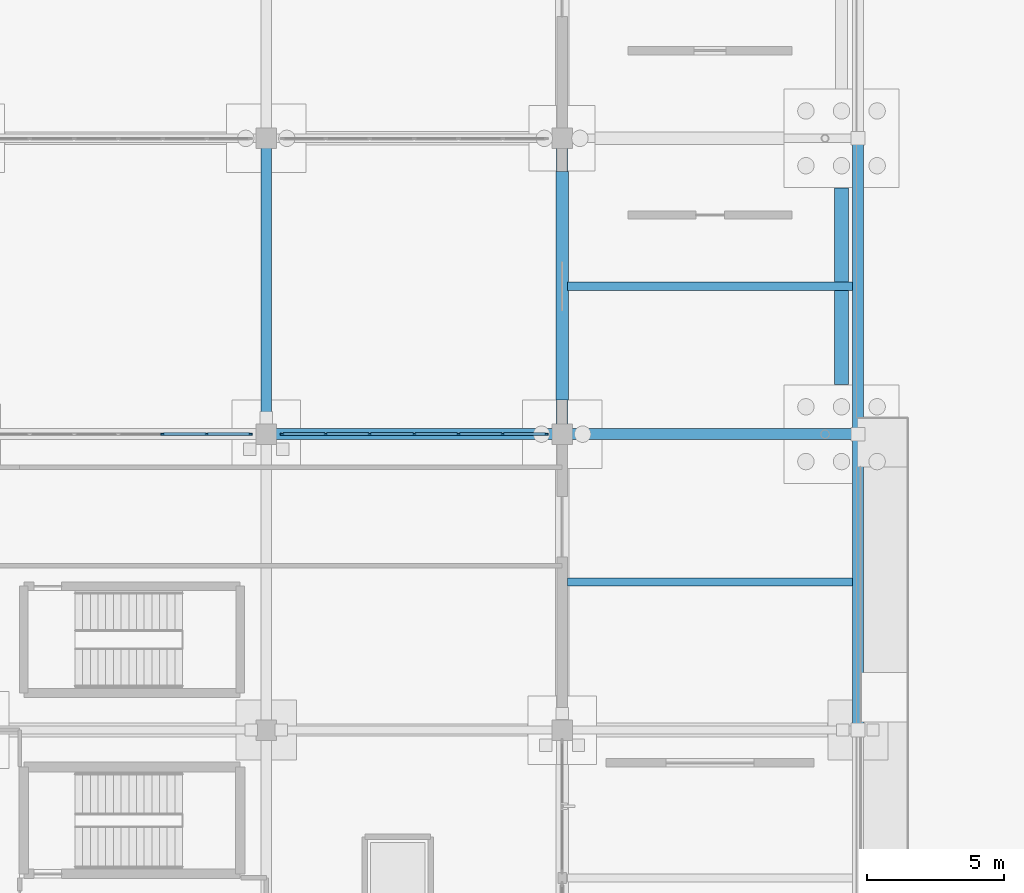
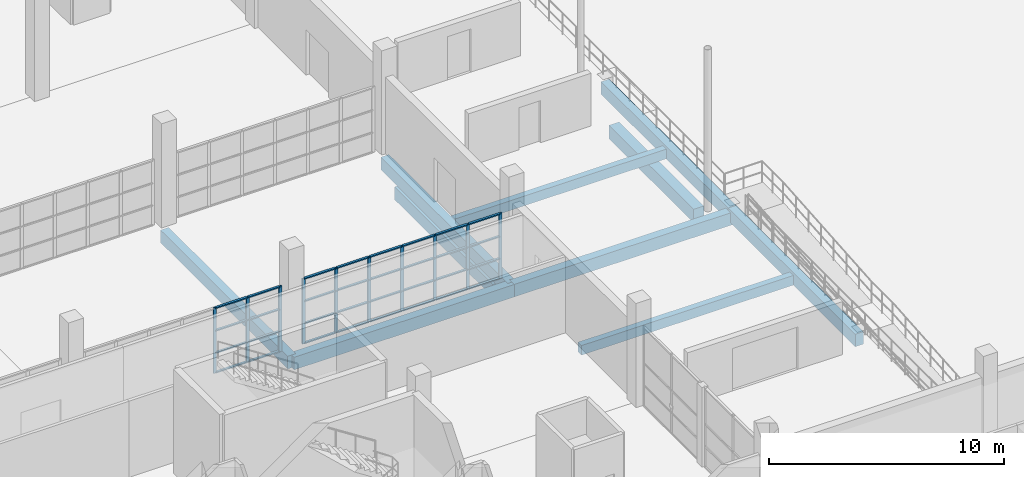
# One storey, part 67 of 138: 42 members, 10 beams, 2 elements without a shape of their own.
"""IFC4 building model written with IfcOpenShell, lengths in metres."""

from ifc_helpers import new_model, si_unit, direction, frame, origin, origin_2d, place, context, subcontext, project, spatial, rectangle, extrude, material, material_profile, profile_set, type_object, element, aggregate, save


model = new_model("IFC4")

# Units and contexts
model_context = context("Model", 3, precision=1e-05, world=origin(), true_north=direction((0.0, 1.0)))
body_context = subcontext(model_context, "Body", "Model", "MODEL_VIEW")
ifc_project = project(units=[si_unit("LENGTHUNIT", "METRE"), si_unit("AREAUNIT", "SQUARE_METRE"), si_unit("VOLUMEUNIT", "CUBIC_METRE"), si_unit("PLANEANGLEUNIT", "RADIAN"), si_unit("MASSUNIT", "GRAM", prefix="KILO")], contexts=[model_context])

# Site, building, storey
site_placement = place(None, origin())
site = spatial("IfcSite", under=ifc_project, at=site_placement, CompositionType="ELEMENT")
building_placement = place(site_placement, origin())
building = spatial("IfcBuilding", under=site, at=building_placement, Name="Zwinboog Wholesale Market", CompositionType="ELEMENT")
storey_placement = place(building_placement, origin())
storey = spatial("IfcBuildingStorey", under=building, at=storey_placement, Name="L00", CompositionType="ELEMENT", Elevation=0.0)

# Beams
ifc_material_1 = material(Name="Precast concrete C45/55", Category="concrete")
ifc_material_profile_1 = material_profile(ifc_material_1, rectangle(XDim=0.39990234375, YDim=0.64990234375, at=origin_2d()), Name="PC 400x650")
ifc_profile_set_1 = profile_set([ifc_material_profile_1], Name="Precast concrete C45/55")
beam_type_1 = type_object("IfcBeamType", Name="BT-05", PredefinedType="BEAM", material=ifc_profile_set_1)
for number, where, z_axis, x_axis, name in (
    (1, (162.0, 54.0, -0.719970703125), (1.0, 0.0, 0.0), (0.0, 1.0, 0.0), "BG-05 (BMG-L00-1620-0540-0082)"),
    (2, (162.0, 54.0, -0.719970703125), (0.0, 1.0, 0.0), (-1.0, 0.0, 0.0), "BG-05 (BMG-L00-1620-0540-0370)"),
    (3, (172.800048828125, 54.0, -0.719970703125), (0.0, 1.0, 0.0), (-1.0, 0.0, 0.0), "BG-05 (BMG-L00-1728-0540-0382)"),
    (4, (172.800048828125, 54.0, -0.719970703125), (1.0, 0.0, 0.0), (0.0, 1.0, 0.0), "BG-05 (BM-TER-L00-0012)"),
    (5, (183.60009765625, 43.199951171875, -0.5869140625), (0.0, 1.0, 0.0), (-1.0, 0.0, 0.0), "BG-05 (BM-TER-L00-0025)"),
    (6, (183.60009765625, 54.0, -0.5869140625), (0.0, 1.0, 0.0), (-1.0, 0.0, 0.0), "BG-05 (BM-TER-L00-0026)"),
):
    element("IfcBeam", number, at=place(storey_placement, frame(where, z_axis=z_axis, x_axis=x_axis)), inside=storey, type_object=beam_type_1, Name=name, PredefinedType="BEAM", context=body_context, shape_type="SweptSolid", body=[
        extrude(rectangle(XDim=0.39990234375, YDim=0.64990234375, at=origin_2d()), origin(), (0.0, 0.0, 1.0), 10.800048828125),
    ])
ifc_material_profile_2 = material_profile(ifc_material_1, rectangle(XDim=0.300048828125, YDim=0.5, at=origin_2d()), Name="PC 300x500")
ifc_profile_set_2 = profile_set([ifc_material_profile_2], Name="Precast concrete C45/55")
beam_type_2 = type_object("IfcBeamType", Name="BT-10", PredefinedType="JOIST", material=ifc_profile_set_2)
for number, where, z_axis, x_axis, name in (
    (7, (173.0, 48.60009765625, -0.64501953125), (1.0, 0.0, 0.0), (0.0, 1.0, 0.0), "BJ-01 (BM-TER-L00-0041)"),
    (8, (173.0, 59.39990234375, -0.64501953125), (1.0, 0.0, 0.0), (0.0, 1.0, 0.0), "BJ-01 (BM-TER-L00-0042)"),
):
    element("IfcBeam", number, at=place(storey_placement, frame(where, z_axis=z_axis, x_axis=x_axis)), inside=storey, type_object=beam_type_2, Name=name, PredefinedType="JOIST", context=body_context, shape_type="SweptSolid", body=[
        extrude(rectangle(XDim=0.300048828125, YDim=0.5, at=origin_2d()), origin(), (0.0, 0.0, 1.0), 10.39990234375),
    ])
ifc_material_2 = material(Name="Concrete C35/45", Category="concrete")
ifc_material_profile_3 = material_profile(ifc_material_2, rectangle(XDim=0.5, YDim=0.699951171875, at=origin_2d()), Name="RC 500x700")
ifc_profile_set_3 = profile_set([ifc_material_profile_3], Name="Concrete C35/45")
beam_type_3 = type_object("IfcBeamType", Name="BT-12", PredefinedType="USERDEFINED", material=ifc_profile_set_3)
beam_1_placement = place(storey_placement, frame((183.0, 55.804931640625, -1.550048828125), z_axis=(0.0, 1.0, 0.0), x_axis=(-1.0, 0.0, 0.0)))
element("IfcBeam", 9, at=beam_1_placement, inside=storey, type_object=beam_type_3, Name="GB-01 (BM-GB-0208)", ObjectType="GROUND_BEAM", PredefinedType="USERDEFINED", context=body_context, shape_type="SweptSolid", body=[
    extrude(rectangle(XDim=0.5, YDim=0.699951171875, at=origin_2d()), origin(), (0.0, 0.0, 1.0), 7.190185546875),
])
ifc_material_profile_4 = material_profile(ifc_material_2, rectangle(XDim=0.449951171875, YDim=0.64990234375, at=origin_2d()), Name="RC 450x650")
ifc_profile_set_4 = profile_set([ifc_material_profile_4], Name="Concrete C35/45")
beam_type_4 = type_object("IfcBeamType", Name="BT-13", PredefinedType="USERDEFINED", material=ifc_profile_set_4)
beam_2_placement = place(storey_placement, frame((172.800048828125, 55.2548828125, -1.52490234375), z_axis=(0.0, 1.0, 0.0), x_axis=(-1.0, 0.0, 0.0)))
element("IfcBeam", 10, at=beam_2_placement, inside=storey, type_object=beam_type_4, Name="GB-02 (BM-GB-0201)", ObjectType="GROUND_BEAM", PredefinedType="USERDEFINED", context=body_context, shape_type="SweptSolid", body=[
    extrude(rectangle(XDim=0.449951171875, YDim=0.64990234375, at=origin_2d()), origin(), (0.0, 0.0, 1.0), 8.340087890625),
])

# Curtain wall, members
ifc_material_3 = material(Name="Aluminium thermally broken curtain wall", Category="aluminium")
curtain_wall_type = type_object("IfcCurtainWallType", Name="CWT-INT-STALL", PredefinedType="USERDEFINED", material=ifc_material_3)
curtain_wall_1_placement = place(storey_placement, origin())
curtain_wall_1 = element("IfcCurtainWall", 11, at=curtain_wall_1_placement, inside=storey, type_object=curtain_wall_type, Name="CW-07 (CW-STL-189)", ObjectType="STOREFRONT_GLAZING", PredefinedType="USERDEFINED")
ifc_material_4 = material(Name="Aluminium EN AW-6060", Category="aluminium")
ifc_material_profile_5 = material_profile(ifc_material_4, rectangle(XDim=0.06005859375, YDim=0.14990234375, at=origin_2d()), Name="AL 60x150")
ifc_profile_set_5 = profile_set([ifc_material_profile_5], Name="Aluminium EN AW-6060")
member_type_1 = type_object("IfcMemberType", Name="CWM-INT-60x120", PredefinedType="MULLION", material=ifc_profile_set_5)
member_1_placement = place(storey_placement, frame((158.216552734375, 54.0, 0.0), z_axis=(0.0, 0.0, 1.0), x_axis=(0.0, 1.0, 0.0)))
member_1 = element("IfcMember", 12, at=member_1_placement, type_object=member_type_1, Name="CW-07 mullion 5", PredefinedType="MULLION", context=body_context, shape_type="SweptSolid", body=[
    extrude(rectangle(XDim=0.06005859375, YDim=0.14990234375, at=origin_2d()), origin(), (0.0, 0.0, 1.0), 3.39990234375),
])
member_2_placement = place(storey_placement, frame((159.833251953125, 54.0, 0.0), z_axis=(0.0, 0.0, 1.0), x_axis=(0.0, 1.0, 0.0)))
member_2 = element("IfcMember", 13, at=member_2_placement, type_object=member_type_1, Name="CW-07 mullion 6", PredefinedType="MULLION", context=body_context, shape_type="SweptSolid", body=[
    extrude(rectangle(XDim=0.06005859375, YDim=0.14990234375, at=origin_2d()), origin(), (0.0, 0.0, 1.0), 3.39990234375),
])
member_3_placement = place(storey_placement, frame((161.419921875, 54.0, 0.0), z_axis=(0.0, 0.0, 1.0), x_axis=(0.0, 1.0, 0.0)))
member_3 = element("IfcMember", 14, at=member_3_placement, type_object=member_type_1, Name="CW-07 mullion 7", PredefinedType="MULLION", context=body_context, shape_type="SweptSolid", body=[
    extrude(rectangle(XDim=0.06005859375, YDim=0.14990234375, at=origin_2d()), origin(), (0.0, 0.0, 1.0), 3.39990234375),
])

curtain_wall_2_placement = place(storey_placement, origin())
curtain_wall_2 = element("IfcCurtainWall", 15, at=curtain_wall_2_placement, inside=storey, type_object=curtain_wall_type, Name="CW-07 (CW-STL-190)", ObjectType="STOREFRONT_GLAZING", PredefinedType="USERDEFINED")
member_4_placement = place(storey_placement, frame((162.580078125, 54.0, 0.0), z_axis=(0.0, 0.0, 1.0), x_axis=(0.0, 1.0, 0.0)))
member_4 = element("IfcMember", 16, at=member_4_placement, type_object=member_type_1, Name="CW-07 mullion 1", PredefinedType="MULLION", context=body_context, shape_type="SweptSolid", body=[
    extrude(rectangle(XDim=0.06005859375, YDim=0.14990234375, at=origin_2d()), origin(), (0.0, 0.0, 1.0), 3.39990234375),
])
member_5_placement = place(storey_placement, frame((164.166748046875, 54.0, 0.0), z_axis=(0.0, 0.0, 1.0), x_axis=(0.0, 1.0, 0.0)))
member_5 = element("IfcMember", 17, at=member_5_placement, type_object=member_type_1, Name="CW-07 mullion 2", PredefinedType="MULLION", context=body_context, shape_type="SweptSolid", body=[
    extrude(rectangle(XDim=0.06005859375, YDim=0.14990234375, at=origin_2d()), origin(), (0.0, 0.0, 1.0), 3.39990234375),
])
member_6_placement = place(storey_placement, frame((165.783447265625, 54.0, 0.0), z_axis=(0.0, 0.0, 1.0), x_axis=(0.0, 1.0, 0.0)))
member_6 = element("IfcMember", 18, at=member_6_placement, type_object=member_type_1, Name="CW-07 mullion 3", PredefinedType="MULLION", context=body_context, shape_type="SweptSolid", body=[
    extrude(rectangle(XDim=0.06005859375, YDim=0.14990234375, at=origin_2d()), origin(), (0.0, 0.0, 1.0), 3.39990234375),
])
member_7_placement = place(storey_placement, frame((167.39990234375, 54.0, 0.0), z_axis=(0.0, 0.0, 1.0), x_axis=(0.0, 1.0, 0.0)))
member_7 = element("IfcMember", 19, at=member_7_placement, type_object=member_type_1, Name="CW-07 mullion 4", PredefinedType="MULLION", context=body_context, shape_type="SweptSolid", body=[
    extrude(rectangle(XDim=0.06005859375, YDim=0.14990234375, at=origin_2d()), origin(), (0.0, 0.0, 1.0), 3.39990234375),
])
member_8_placement = place(storey_placement, frame((169.0166015625, 54.0, 0.0), z_axis=(0.0, 0.0, 1.0), x_axis=(0.0, 1.0, 0.0)))
member_8 = element("IfcMember", 20, at=member_8_placement, type_object=member_type_1, Name="CW-07 mullion 5", PredefinedType="MULLION", context=body_context, shape_type="SweptSolid", body=[
    extrude(rectangle(XDim=0.06005859375, YDim=0.14990234375, at=origin_2d()), origin(), (0.0, 0.0, 1.0), 3.39990234375),
])
member_9_placement = place(storey_placement, frame((170.63330078125, 54.0, 0.0), z_axis=(0.0, 0.0, 1.0), x_axis=(0.0, 1.0, 0.0)))
member_9 = element("IfcMember", 21, at=member_9_placement, type_object=member_type_1, Name="CW-07 mullion 6", PredefinedType="MULLION", context=body_context, shape_type="SweptSolid", body=[
    extrude(rectangle(XDim=0.06005859375, YDim=0.14990234375, at=origin_2d()), origin(), (0.0, 0.0, 1.0), 3.39990234375),
])
member_10_placement = place(storey_placement, frame((172.219970703125, 54.0, 0.0), z_axis=(0.0, 0.0, 1.0), x_axis=(0.0, 1.0, 0.0)))
member_10 = element("IfcMember", 22, at=member_10_placement, type_object=member_type_1, Name="CW-07 mullion 7", PredefinedType="MULLION", context=body_context, shape_type="SweptSolid", body=[
    extrude(rectangle(XDim=0.06005859375, YDim=0.14990234375, at=origin_2d()), origin(), (0.0, 0.0, 1.0), 3.39990234375),
])

# Member
ifc_material_profile_6 = material_profile(ifc_material_4, rectangle(XDim=0.110107421875, YDim=0.06005859375, at=origin_2d()), Name="AL 60x110")
ifc_profile_set_6 = profile_set([ifc_material_profile_6], Name="Aluminium EN AW-6060")
member_type_2 = type_object("IfcMemberType", Name="CWT-INT-60x100", PredefinedType="USERDEFINED", material=ifc_profile_set_6)
member_11_placement = place(storey_placement, frame((158.24658203125, 54.0, 0.030029296875), z_axis=(1.0, 0.0, 0.0), x_axis=(0.0, 1.0, 0.0)))
member_11 = element("IfcMember", 23, at=member_11_placement, type_object=member_type_2, Name="CW-07 transom 5.1", ObjectType="TRANSOM", PredefinedType="USERDEFINED", context=body_context, shape_type="SweptSolid", body=[
    extrude(rectangle(XDim=0.110107421875, YDim=0.06005859375, at=origin_2d()), origin(), (0.0, 0.0, 1.0), 1.556640625),
])

member_12_placement = place(storey_placement, frame((158.24658203125, 54.0, 1.050048828125), z_axis=(1.0, 0.0, 0.0), x_axis=(0.0, 1.0, 0.0)))
member_12 = element("IfcMember", 24, at=member_12_placement, type_object=member_type_2, Name="CW-07 transom 5.2", ObjectType="TRANSOM", PredefinedType="USERDEFINED", context=body_context, shape_type="SweptSolid", body=[
    extrude(rectangle(XDim=0.110107421875, YDim=0.06005859375, at=origin_2d()), origin(), (0.0, 0.0, 1.0), 1.556640625),
])

member_13_placement = place(storey_placement, frame((158.24658203125, 54.0, 2.199951171875), z_axis=(1.0, 0.0, 0.0), x_axis=(0.0, 1.0, 0.0)))
member_13 = element("IfcMember", 25, at=member_13_placement, type_object=member_type_2, Name="CW-07 transom 5.3", ObjectType="TRANSOM", PredefinedType="USERDEFINED", context=body_context, shape_type="SweptSolid", body=[
    extrude(rectangle(XDim=0.110107421875, YDim=0.06005859375, at=origin_2d()), origin(), (0.0, 0.0, 1.0), 1.556640625),
])

member_14_placement = place(storey_placement, frame((158.24658203125, 54.0, 3.3701171875), z_axis=(1.0, 0.0, 0.0), x_axis=(0.0, 1.0, 0.0)))
member_14 = element("IfcMember", 26, at=member_14_placement, type_object=member_type_2, Name="CW-07 transom 5.4", ObjectType="TRANSOM", PredefinedType="USERDEFINED", context=body_context, shape_type="SweptSolid", body=[
    extrude(rectangle(XDim=0.110107421875, YDim=0.06005859375, at=origin_2d()), origin(), (0.0, 0.0, 1.0), 1.556640625),
])

member_15_placement = place(storey_placement, frame((159.86328125, 54.0, 0.030029296875), z_axis=(1.0, 0.0, 0.0), x_axis=(0.0, 1.0, 0.0)))
member_15 = element("IfcMember", 27, at=member_15_placement, type_object=member_type_2, Name="CW-07 transom 6.1", ObjectType="TRANSOM", PredefinedType="USERDEFINED", context=body_context, shape_type="SweptSolid", body=[
    extrude(rectangle(XDim=0.110107421875, YDim=0.06005859375, at=origin_2d()), origin(), (0.0, 0.0, 1.0), 1.526611328125),
])

member_16_placement = place(storey_placement, frame((159.86328125, 54.0, 1.050048828125), z_axis=(1.0, 0.0, 0.0), x_axis=(0.0, 1.0, 0.0)))
member_16 = element("IfcMember", 28, at=member_16_placement, type_object=member_type_2, Name="CW-07 transom 6.2", ObjectType="TRANSOM", PredefinedType="USERDEFINED", context=body_context, shape_type="SweptSolid", body=[
    extrude(rectangle(XDim=0.110107421875, YDim=0.06005859375, at=origin_2d()), origin(), (0.0, 0.0, 1.0), 1.526611328125),
])

member_17_placement = place(storey_placement, frame((159.86328125, 54.0, 2.199951171875), z_axis=(1.0, 0.0, 0.0), x_axis=(0.0, 1.0, 0.0)))
member_17 = element("IfcMember", 29, at=member_17_placement, type_object=member_type_2, Name="CW-07 transom 6.3", ObjectType="TRANSOM", PredefinedType="USERDEFINED", context=body_context, shape_type="SweptSolid", body=[
    extrude(rectangle(XDim=0.110107421875, YDim=0.06005859375, at=origin_2d()), origin(), (0.0, 0.0, 1.0), 1.526611328125),
])

member_18_placement = place(storey_placement, frame((159.86328125, 54.0, 3.3701171875), z_axis=(1.0, 0.0, 0.0), x_axis=(0.0, 1.0, 0.0)))
member_18 = element("IfcMember", 30, at=member_18_placement, type_object=member_type_2, Name="CW-07 transom 6.4", ObjectType="TRANSOM", PredefinedType="USERDEFINED", context=body_context, shape_type="SweptSolid", body=[
    extrude(rectangle(XDim=0.110107421875, YDim=0.06005859375, at=origin_2d()), origin(), (0.0, 0.0, 1.0), 1.526611328125),
])

aggregate(curtain_wall_1, [member_1, member_2, member_3, member_11, member_12, member_13, member_14, member_15, member_16, member_17, member_18])

member_19_placement = place(storey_placement, frame((162.610107421875, 54.0, 0.030029296875), z_axis=(1.0, 0.0, 0.0), x_axis=(0.0, 1.0, 0.0)))
member_19 = element("IfcMember", 31, at=member_19_placement, type_object=member_type_2, Name="CW-07 transom 1.1", ObjectType="TRANSOM", PredefinedType="USERDEFINED", context=body_context, shape_type="SweptSolid", body=[
    extrude(rectangle(XDim=0.110107421875, YDim=0.06005859375, at=origin_2d()), origin(), (0.0, 0.0, 1.0), 1.526611328125),
])

member_20_placement = place(storey_placement, frame((162.610107421875, 54.0, 1.050048828125), z_axis=(1.0, 0.0, 0.0), x_axis=(0.0, 1.0, 0.0)))
member_20 = element("IfcMember", 32, at=member_20_placement, type_object=member_type_2, Name="CW-07 transom 1.2", ObjectType="TRANSOM", PredefinedType="USERDEFINED", context=body_context, shape_type="SweptSolid", body=[
    extrude(rectangle(XDim=0.110107421875, YDim=0.06005859375, at=origin_2d()), origin(), (0.0, 0.0, 1.0), 1.526611328125),
])

member_21_placement = place(storey_placement, frame((162.610107421875, 54.0, 2.199951171875), z_axis=(1.0, 0.0, 0.0), x_axis=(0.0, 1.0, 0.0)))
member_21 = element("IfcMember", 33, at=member_21_placement, type_object=member_type_2, Name="CW-07 transom 1.3", ObjectType="TRANSOM", PredefinedType="USERDEFINED", context=body_context, shape_type="SweptSolid", body=[
    extrude(rectangle(XDim=0.110107421875, YDim=0.06005859375, at=origin_2d()), origin(), (0.0, 0.0, 1.0), 1.526611328125),
])

member_22_placement = place(storey_placement, frame((162.610107421875, 54.0, 3.3701171875), z_axis=(1.0, 0.0, 0.0), x_axis=(0.0, 1.0, 0.0)))
member_22 = element("IfcMember", 34, at=member_22_placement, type_object=member_type_2, Name="CW-07 transom 1.4", ObjectType="TRANSOM", PredefinedType="USERDEFINED", context=body_context, shape_type="SweptSolid", body=[
    extrude(rectangle(XDim=0.110107421875, YDim=0.06005859375, at=origin_2d()), origin(), (0.0, 0.0, 1.0), 1.526611328125),
])

member_23_placement = place(storey_placement, frame((164.19677734375, 54.0, 0.030029296875), z_axis=(1.0, 0.0, 0.0), x_axis=(0.0, 1.0, 0.0)))
member_23 = element("IfcMember", 35, at=member_23_placement, type_object=member_type_2, Name="CW-07 transom 2.1", ObjectType="TRANSOM", PredefinedType="USERDEFINED", context=body_context, shape_type="SweptSolid", body=[
    extrude(rectangle(XDim=0.110107421875, YDim=0.06005859375, at=origin_2d()), origin(), (0.0, 0.0, 1.0), 1.556640625),
])

member_24_placement = place(storey_placement, frame((164.19677734375, 54.0, 1.050048828125), z_axis=(1.0, 0.0, 0.0), x_axis=(0.0, 1.0, 0.0)))
member_24 = element("IfcMember", 36, at=member_24_placement, type_object=member_type_2, Name="CW-07 transom 2.2", ObjectType="TRANSOM", PredefinedType="USERDEFINED", context=body_context, shape_type="SweptSolid", body=[
    extrude(rectangle(XDim=0.110107421875, YDim=0.06005859375, at=origin_2d()), origin(), (0.0, 0.0, 1.0), 1.556640625),
])

member_25_placement = place(storey_placement, frame((164.19677734375, 54.0, 2.199951171875), z_axis=(1.0, 0.0, 0.0), x_axis=(0.0, 1.0, 0.0)))
member_25 = element("IfcMember", 37, at=member_25_placement, type_object=member_type_2, Name="CW-07 transom 2.3", ObjectType="TRANSOM", PredefinedType="USERDEFINED", context=body_context, shape_type="SweptSolid", body=[
    extrude(rectangle(XDim=0.110107421875, YDim=0.06005859375, at=origin_2d()), origin(), (0.0, 0.0, 1.0), 1.556640625),
])

member_26_placement = place(storey_placement, frame((164.19677734375, 54.0, 3.3701171875), z_axis=(1.0, 0.0, 0.0), x_axis=(0.0, 1.0, 0.0)))
member_26 = element("IfcMember", 38, at=member_26_placement, type_object=member_type_2, Name="CW-07 transom 2.4", ObjectType="TRANSOM", PredefinedType="USERDEFINED", context=body_context, shape_type="SweptSolid", body=[
    extrude(rectangle(XDim=0.110107421875, YDim=0.06005859375, at=origin_2d()), origin(), (0.0, 0.0, 1.0), 1.556640625),
])

member_27_placement = place(storey_placement, frame((165.813232421875, 54.0, 0.030029296875), z_axis=(1.0, 0.0, 0.0), x_axis=(0.0, 1.0, 0.0)))
member_27 = element("IfcMember", 39, at=member_27_placement, type_object=member_type_2, Name="CW-07 transom 3.1", ObjectType="TRANSOM", PredefinedType="USERDEFINED", context=body_context, shape_type="SweptSolid", body=[
    extrude(rectangle(XDim=0.110107421875, YDim=0.06005859375, at=origin_2d()), origin(), (0.0, 0.0, 1.0), 1.556884765625),
])

member_28_placement = place(storey_placement, frame((165.813232421875, 54.0, 1.050048828125), z_axis=(1.0, 0.0, 0.0), x_axis=(0.0, 1.0, 0.0)))
member_28 = element("IfcMember", 40, at=member_28_placement, type_object=member_type_2, Name="CW-07 transom 3.2", ObjectType="TRANSOM", PredefinedType="USERDEFINED", context=body_context, shape_type="SweptSolid", body=[
    extrude(rectangle(XDim=0.110107421875, YDim=0.06005859375, at=origin_2d()), origin(), (0.0, 0.0, 1.0), 1.556884765625),
])

member_29_placement = place(storey_placement, frame((165.813232421875, 54.0, 2.199951171875), z_axis=(1.0, 0.0, 0.0), x_axis=(0.0, 1.0, 0.0)))
member_29 = element("IfcMember", 41, at=member_29_placement, type_object=member_type_2, Name="CW-07 transom 3.3", ObjectType="TRANSOM", PredefinedType="USERDEFINED", context=body_context, shape_type="SweptSolid", body=[
    extrude(rectangle(XDim=0.110107421875, YDim=0.06005859375, at=origin_2d()), origin(), (0.0, 0.0, 1.0), 1.556884765625),
])

member_30_placement = place(storey_placement, frame((165.813232421875, 54.0, 3.3701171875), z_axis=(1.0, 0.0, 0.0), x_axis=(0.0, 1.0, 0.0)))
member_30 = element("IfcMember", 42, at=member_30_placement, type_object=member_type_2, Name="CW-07 transom 3.4", ObjectType="TRANSOM", PredefinedType="USERDEFINED", context=body_context, shape_type="SweptSolid", body=[
    extrude(rectangle(XDim=0.110107421875, YDim=0.06005859375, at=origin_2d()), origin(), (0.0, 0.0, 1.0), 1.556884765625),
])

member_31_placement = place(storey_placement, frame((167.429931640625, 54.0, 0.030029296875), z_axis=(1.0, 0.0, 0.0), x_axis=(0.0, 1.0, 0.0)))
member_31 = element("IfcMember", 43, at=member_31_placement, type_object=member_type_2, Name="CW-07 transom 4.1", ObjectType="TRANSOM", PredefinedType="USERDEFINED", context=body_context, shape_type="SweptSolid", body=[
    extrude(rectangle(XDim=0.110107421875, YDim=0.06005859375, at=origin_2d()), origin(), (0.0, 0.0, 1.0), 1.556640625),
])

member_32_placement = place(storey_placement, frame((167.429931640625, 54.0, 1.050048828125), z_axis=(1.0, 0.0, 0.0), x_axis=(0.0, 1.0, 0.0)))
member_32 = element("IfcMember", 44, at=member_32_placement, type_object=member_type_2, Name="CW-07 transom 4.2", ObjectType="TRANSOM", PredefinedType="USERDEFINED", context=body_context, shape_type="SweptSolid", body=[
    extrude(rectangle(XDim=0.110107421875, YDim=0.06005859375, at=origin_2d()), origin(), (0.0, 0.0, 1.0), 1.556640625),
])

member_33_placement = place(storey_placement, frame((167.429931640625, 54.0, 2.199951171875), z_axis=(1.0, 0.0, 0.0), x_axis=(0.0, 1.0, 0.0)))
member_33 = element("IfcMember", 45, at=member_33_placement, type_object=member_type_2, Name="CW-07 transom 4.3", ObjectType="TRANSOM", PredefinedType="USERDEFINED", context=body_context, shape_type="SweptSolid", body=[
    extrude(rectangle(XDim=0.110107421875, YDim=0.06005859375, at=origin_2d()), origin(), (0.0, 0.0, 1.0), 1.556640625),
])

member_34_placement = place(storey_placement, frame((167.429931640625, 54.0, 3.3701171875), z_axis=(1.0, 0.0, 0.0), x_axis=(0.0, 1.0, 0.0)))
member_34 = element("IfcMember", 46, at=member_34_placement, type_object=member_type_2, Name="CW-07 transom 4.4", ObjectType="TRANSOM", PredefinedType="USERDEFINED", context=body_context, shape_type="SweptSolid", body=[
    extrude(rectangle(XDim=0.110107421875, YDim=0.06005859375, at=origin_2d()), origin(), (0.0, 0.0, 1.0), 1.556640625),
])

member_35_placement = place(storey_placement, frame((169.046630859375, 54.0, 0.030029296875), z_axis=(1.0, 0.0, 0.0), x_axis=(0.0, 1.0, 0.0)))
member_35 = element("IfcMember", 47, at=member_35_placement, type_object=member_type_2, Name="CW-07 transom 5.1", ObjectType="TRANSOM", PredefinedType="USERDEFINED", context=body_context, shape_type="SweptSolid", body=[
    extrude(rectangle(XDim=0.110107421875, YDim=0.06005859375, at=origin_2d()), origin(), (0.0, 0.0, 1.0), 1.556640625),
])

member_36_placement = place(storey_placement, frame((169.046630859375, 54.0, 1.050048828125), z_axis=(1.0, 0.0, 0.0), x_axis=(0.0, 1.0, 0.0)))
member_36 = element("IfcMember", 48, at=member_36_placement, type_object=member_type_2, Name="CW-07 transom 5.2", ObjectType="TRANSOM", PredefinedType="USERDEFINED", context=body_context, shape_type="SweptSolid", body=[
    extrude(rectangle(XDim=0.110107421875, YDim=0.06005859375, at=origin_2d()), origin(), (0.0, 0.0, 1.0), 1.556640625),
])

member_37_placement = place(storey_placement, frame((169.046630859375, 54.0, 2.199951171875), z_axis=(1.0, 0.0, 0.0), x_axis=(0.0, 1.0, 0.0)))
member_37 = element("IfcMember", 49, at=member_37_placement, type_object=member_type_2, Name="CW-07 transom 5.3", ObjectType="TRANSOM", PredefinedType="USERDEFINED", context=body_context, shape_type="SweptSolid", body=[
    extrude(rectangle(XDim=0.110107421875, YDim=0.06005859375, at=origin_2d()), origin(), (0.0, 0.0, 1.0), 1.556640625),
])

member_38_placement = place(storey_placement, frame((169.046630859375, 54.0, 3.3701171875), z_axis=(1.0, 0.0, 0.0), x_axis=(0.0, 1.0, 0.0)))
member_38 = element("IfcMember", 50, at=member_38_placement, type_object=member_type_2, Name="CW-07 transom 5.4", ObjectType="TRANSOM", PredefinedType="USERDEFINED", context=body_context, shape_type="SweptSolid", body=[
    extrude(rectangle(XDim=0.110107421875, YDim=0.06005859375, at=origin_2d()), origin(), (0.0, 0.0, 1.0), 1.556640625),
])

member_39_placement = place(storey_placement, frame((170.663330078125, 54.0, 0.030029296875), z_axis=(1.0, 0.0, 0.0), x_axis=(0.0, 1.0, 0.0)))
member_39 = element("IfcMember", 51, at=member_39_placement, type_object=member_type_2, Name="CW-07 transom 6.1", ObjectType="TRANSOM", PredefinedType="USERDEFINED", context=body_context, shape_type="SweptSolid", body=[
    extrude(rectangle(XDim=0.110107421875, YDim=0.06005859375, at=origin_2d()), origin(), (0.0, 0.0, 1.0), 1.526611328125),
])

member_40_placement = place(storey_placement, frame((170.663330078125, 54.0, 1.050048828125), z_axis=(1.0, 0.0, 0.0), x_axis=(0.0, 1.0, 0.0)))
member_40 = element("IfcMember", 52, at=member_40_placement, type_object=member_type_2, Name="CW-07 transom 6.2", ObjectType="TRANSOM", PredefinedType="USERDEFINED", context=body_context, shape_type="SweptSolid", body=[
    extrude(rectangle(XDim=0.110107421875, YDim=0.06005859375, at=origin_2d()), origin(), (0.0, 0.0, 1.0), 1.526611328125),
])

member_41_placement = place(storey_placement, frame((170.663330078125, 54.0, 2.199951171875), z_axis=(1.0, 0.0, 0.0), x_axis=(0.0, 1.0, 0.0)))
member_41 = element("IfcMember", 53, at=member_41_placement, type_object=member_type_2, Name="CW-07 transom 6.3", ObjectType="TRANSOM", PredefinedType="USERDEFINED", context=body_context, shape_type="SweptSolid", body=[
    extrude(rectangle(XDim=0.110107421875, YDim=0.06005859375, at=origin_2d()), origin(), (0.0, 0.0, 1.0), 1.526611328125),
])

member_42_placement = place(storey_placement, frame((170.663330078125, 54.0, 3.3701171875), z_axis=(1.0, 0.0, 0.0), x_axis=(0.0, 1.0, 0.0)))
member_42 = element("IfcMember", 54, at=member_42_placement, type_object=member_type_2, Name="CW-07 transom 6.4", ObjectType="TRANSOM", PredefinedType="USERDEFINED", context=body_context, shape_type="SweptSolid", body=[
    extrude(rectangle(XDim=0.110107421875, YDim=0.06005859375, at=origin_2d()), origin(), (0.0, 0.0, 1.0), 1.526611328125),
])

aggregate(curtain_wall_2, [member_4, member_5, member_6, member_7, member_8, member_9, member_10, member_19, member_20, member_21, member_22, member_23, member_24, member_25, member_26, member_27, member_28, member_29, member_30, member_31, member_32, member_33, member_34, member_35, member_36, member_37, member_38, member_39, member_40, member_41, member_42])

save(model, "model.ifc")
